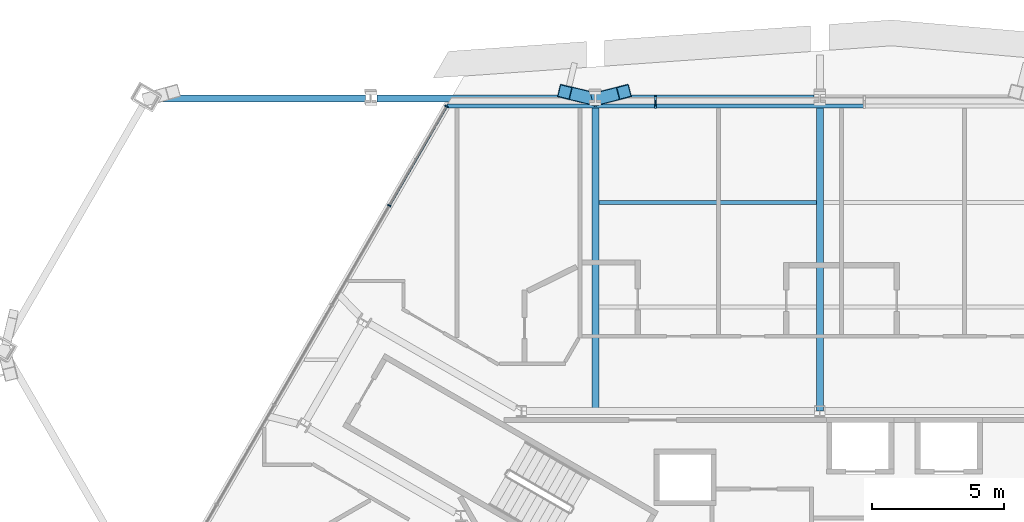
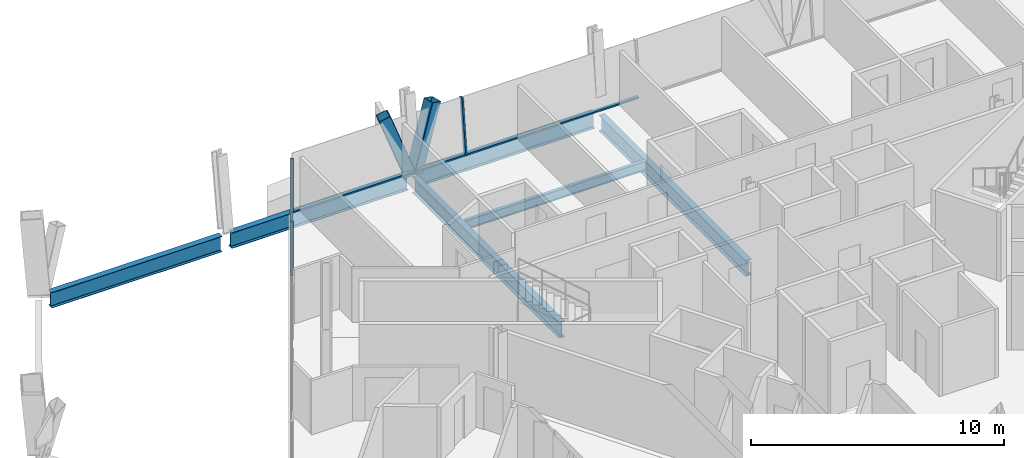
# One storey, part 7 of 17: 8 members, 6 beams, 2 elements without a shape of their own.
"""IFC4 building model written with IfcOpenShell, lengths in metres."""

from ifc_helpers import new_model, si_unit, direction, frame, origin, origin_2d, place, context, subcontext, project, spatial, rectangle, hollow_rectangle, i_section, extrude, material, material_profile, profile_set, type_object, element, aggregate, save


model = new_model("IFC4")

# Units and contexts
model_context = context("Model", 3, precision=1e-05, world=origin(), true_north=direction((0.0, 1.0)))
body_context = subcontext(model_context, "Body", "Model", "MODEL_VIEW")
ifc_project = project(units=[si_unit("LENGTHUNIT", "METRE"), si_unit("AREAUNIT", "SQUARE_METRE"), si_unit("VOLUMEUNIT", "CUBIC_METRE"), si_unit("PLANEANGLEUNIT", "RADIAN"), si_unit("MASSUNIT", "GRAM", prefix="KILO")], contexts=[model_context])

# Site, building, storey
site_placement = place(None, origin())
site = spatial("IfcSite", under=ifc_project, at=site_placement, CompositionType="ELEMENT")
building_placement = place(site_placement, origin())
building = spatial("IfcBuilding", under=site, at=building_placement, Name="Verrane Prism Tower", CompositionType="ELEMENT")
storey_placement = place(building_placement, frame((0.0, 0.0, 62.0)))
storey = spatial("IfcBuildingStorey", under=building, at=storey_placement, Name="L13", CompositionType="ELEMENT", Elevation=62.0)

# Members
ifc_material_1 = material(Name="Steel A1085 Grade A", Category="steel")
ifc_material_profile_1 = material_profile(ifc_material_1, hollow_rectangle(XDim=0.508056640625, YDim=0.508056640625, WallThickness=0.025390625, InnerFilletRadius=0.0126953125, OuterFilletRadius=0.0380859375, at=origin_2d()), Name="HSS20x20x1")
ifc_profile_set_1 = profile_set([ifc_material_profile_1], Name="Steel A1085 Grade A")
member_type_1 = type_object("IfcMemberType", Name="Facade brace HSS20x20x1", PredefinedType="BRACE", material=ifc_profile_set_1)
member_1_placement = place(storey_placement, frame((-8.408203125, 21.070068359375, -0.197509765625), z_axis=(0.310890224277, 0.079595388746, 0.947107091378), x_axis=(-0.248024317943, 0.968753806552, 0.0)))
element("IfcMember", 1, at=member_1_placement, inside=storey, type_object=member_type_1, Name="Facade brace N3 L13", PredefinedType="BRACE", context=body_context, shape_type="SweptSolid", body=[
    extrude(hollow_rectangle(XDim=0.508056640625, YDim=0.508056640625, WallThickness=0.025390625, InnerFilletRadius=0.0126953125, OuterFilletRadius=0.0380859375, at=origin_2d()), origin(), (0.0, 0.0, 1.0), 3.128662109375),
])
member_2_placement = place(storey_placement, frame((-8.639892578125, 21.070068359375, -0.197509765625), z_axis=(-0.330631716737, 0.079035470136, 0.940444608867), x_axis=(-0.232493532047, -0.972597942398, 0.0)))
element("IfcMember", 2, at=member_2_placement, inside=storey, type_object=member_type_1, Name="Facade brace N4 L13", PredefinedType="BRACE", context=body_context, shape_type="SweptSolid", body=[
    extrude(hollow_rectangle(XDim=0.508056640625, YDim=0.508056640625, WallThickness=0.025390625, InnerFilletRadius=0.0126953125, OuterFilletRadius=0.0380859375, at=origin_2d()), origin(), (0.0, 0.0, 1.0), 3.15087890625),
])

# Beam
ifc_material_2 = material(Name="Steel A992", Category="steel")
ifc_material_profile_2 = material_profile(ifc_material_2, i_section(OverallWidth=0.15234375, OverallDepth=0.449462890625, WebThickness=0.007568359375, FlangeThickness=0.0107421875, FilletRadius=0.01025390625, at=origin_2d()), Name="W18x35")
ifc_profile_set_2 = profile_set([ifc_material_profile_2], Name="Steel A992")
beam_type_1 = type_object("IfcBeamType", Name="Floor beam W18x35", PredefinedType="BEAM", material=ifc_profile_set_2)
beam_1_placement = place(storey_placement, frame((-8.386474609375, 17.11328125, -0.384765625), z_axis=(1.0, 0.0, 0.0), x_axis=(0.0, 1.0, 0.0)))
element("IfcBeam", 3, at=beam_1_placement, inside=storey, type_object=beam_type_1, Name="Floor beam L13", PredefinedType="BEAM", context=body_context, shape_type="SweptSolid", body=[
    extrude(i_section(OverallWidth=0.15234375, OverallDepth=0.449462890625, WebThickness=0.007568359375, FlangeThickness=0.0107421875, FilletRadius=0.01025390625, at=origin_2d()), origin(), (0.0, 0.0, 1.0), 8.2529296875),
])

# Curtain wall, members
ifc_material_3 = material(Name="Aluminium framed insulated glazing", Category="aluminium")
curtain_wall_type_1 = type_object("IfcCurtainWallType", Name="Curtain wall CW-C 4200 module", PredefinedType="NOTDEFINED", material=ifc_material_3)
curtain_wall_1_placement = place(storey_placement, origin())
curtain_wall_1 = element("IfcCurtainWall", 4, at=curtain_wall_1_placement, inside=storey, type_object=curtain_wall_type_1, Name="Glazed curtain wall garden cut line L13 1", PredefinedType="NOTDEFINED")
ifc_material_4 = material(Name="Aluminium alloy 6063-T6", Category="aluminium")
ifc_material_profile_3 = material_profile(ifc_material_4, rectangle(XDim=0.139892578125, YDim=0.050048828125, at=origin_2d()), Name="Mullion 50x140 aluminium")
ifc_profile_set_3 = profile_set([ifc_material_profile_3], Name="Aluminium alloy 6063-T6")
member_type_2 = type_object("IfcMemberType", Name="Mullion 50x140 aluminium", PredefinedType="MULLION", material=ifc_profile_set_3)
member_3_placement = place(storey_placement, frame((-14.1748046875, 20.769287109375, 0.0), z_axis=(0.0, 0.0, 1.0), x_axis=(0.86602606015, -0.49999886314, 0.0)))
member_3 = element("IfcMember", 5, at=member_3_placement, type_object=member_type_2, Name="CW12.3.1 mullion 1", PredefinedType="MULLION", context=body_context, shape_type="SweptSolid", body=[
    extrude(rectangle(XDim=0.139892578125, YDim=0.050048828125, at=origin_2d()), origin(), (0.0, 0.0, 1.0), 2.61279296875),
])
member_4_placement = place(storey_placement, frame((-16.34716796875, 17.006591796875, 0.0), z_axis=(0.0, 0.0, 1.0), x_axis=(0.86602606015, -0.49999886314, 0.0)))
member_4 = element("IfcMember", 6, at=member_4_placement, type_object=member_type_2, Name="CW12.3.1 mullion 2", PredefinedType="MULLION", context=body_context, shape_type="SweptSolid", body=[
    extrude(rectangle(XDim=0.139892578125, YDim=0.050048828125, at=origin_2d()), origin(), (0.0, 0.0, 1.0), 2.61279296875),
])

# Curtain wall, member
ifc_material_5 = material(Name="Aluminium framed insulated glazing", Category="aluminium")
curtain_wall_type_2 = type_object("IfcCurtainWallType", Name="Curtain wall CW-A 8400 module", PredefinedType="NOTDEFINED", material=ifc_material_5)
curtain_wall_2_placement = place(storey_placement, origin())
curtain_wall_2 = element("IfcCurtainWall", 7, at=curtain_wall_2_placement, inside=storey, type_object=curtain_wall_type_2, Name="Glazed curtain wall north face L13", PredefinedType="NOTDEFINED")
ifc_material_6 = material(Name="Aluminium alloy 6063-T6", Category="aluminium")
ifc_material_profile_4 = material_profile(ifc_material_6, rectangle(XDim=0.199951171875, YDim=0.070068359375, at=origin_2d()), Name="Mullion 70x200 aluminium")
ifc_profile_set_4 = profile_set([ifc_material_profile_4], Name="Aluminium alloy 6063-T6")
member_type_3 = type_object("IfcMemberType", Name="Mullion 70x200 aluminium", PredefinedType="MULLION", material=ifc_profile_set_4)
member_5_placement = place(storey_placement, frame((-6.23486328125, 20.791015625, 0.0), z_axis=(0.0, 0.114088521093, 0.993470588067), x_axis=(0.0, 0.993470588067, -0.114088521093)))
member_5 = element("IfcMember", 8, at=member_5_placement, type_object=member_type_3, Name="CW12.2 mullion 5", PredefinedType="MULLION", context=body_context, shape_type="SweptSolid", body=[
    extrude(rectangle(XDim=0.199951171875, YDim=0.070068359375, at=origin_2d()), origin(), (0.0, 0.0, 1.0), 2.6298828125),
])

# Beams
ifc_material_7 = material(Name="Steel A992", Category="steel")
ifc_material_profile_5 = material_profile(ifc_material_7, i_section(OverallWidth=0.2666015625, OverallDepth=0.76708984375, WebThickness=0.014892578125, FlangeThickness=0.023681640625, FilletRadius=0.0166015625, at=origin_2d()), Name="W30x124")
ifc_profile_set_5 = profile_set([ifc_material_profile_5], Name="Steel A992")
beam_type_2 = type_object("IfcBeamType", Name="Radial girder W30x124", PredefinedType="BEAM", material=ifc_profile_set_5)
for number, where, z_axis, x_axis, name in (
    (9, (0.0, 20.8046875, -0.603515625), (0.0, -1.0, 0.0), (1.0, 0.0, 0.0), "Radial girder L13"),
    (10, (-8.52001953125, 20.8046875, -0.603515625), (0.0, -1.0, 0.0), (1.0, 0.0, 0.0), "Radial girder L13"),
):
    element("IfcBeam", number, at=place(storey_placement, frame(where, z_axis=z_axis, x_axis=x_axis)), inside=storey, type_object=beam_type_2, Name=name, PredefinedType="BEAM", context=body_context, shape_type="SweptSolid", body=[
        extrude(i_section(OverallWidth=0.2666015625, OverallDepth=0.76708984375, WebThickness=0.014892578125, FlangeThickness=0.023681640625, FilletRadius=0.0166015625, at=origin_2d()), origin(), (0.0, 0.0, 1.0), 11.604736328125),
    ])
ifc_material_8 = material(Name="Steel A992", Category="steel")
ifc_material_profile_6 = material_profile(ifc_material_8, i_section(OverallWidth=0.2666015625, OverallDepth=0.7568359375, WebThickness=0.013916015625, FlangeThickness=0.019287109375, FilletRadius=0.0166015625, at=origin_2d()), Name="W30x108")
ifc_profile_set_6 = profile_set([ifc_material_profile_6], Name="Steel A992")
beam_type_3 = type_object("IfcBeamType", Name="Spandrel beam W30x108", PredefinedType="SPANDREL", material=ifc_profile_set_6)
beam_2_placement = place(storey_placement, frame((-0.220947265625, 21.070068359375, -0.53857421875), z_axis=(-1.0, 0.0, 0.0), x_axis=(0.0, -1.0, 0.0)))
element("IfcBeam", 11, at=beam_2_placement, inside=storey, type_object=beam_type_3, Name="Spandrel beam L13", PredefinedType="SPANDREL", context=body_context, shape_type="SweptSolid", body=[
    extrude(i_section(OverallWidth=0.2666015625, OverallDepth=0.7568359375, WebThickness=0.013916015625, FlangeThickness=0.019287109375, FilletRadius=0.0166015625, at=origin_2d()), origin(), (0.0, 0.0, 1.0), 8.078125),
])
beam_3_placement = place(storey_placement, frame((-8.740966796875, 21.070068359375, -0.53857421875), z_axis=(-1.0, 0.0, 0.0), x_axis=(0.0, -1.0, 0.0)))
element("IfcBeam", 12, at=beam_3_placement, inside=storey, type_object=beam_type_3, Name="Spandrel beam L13", PredefinedType="SPANDREL", context=body_context, shape_type="SweptSolid", body=[
    extrude(i_section(OverallWidth=0.2666015625, OverallDepth=0.7568359375, WebThickness=0.013916015625, FlangeThickness=0.019287109375, FilletRadius=0.0166015625, at=origin_2d()), origin(), (0.0, 0.0, 1.0), 8.068115234375),
])
beam_4_placement = place(storey_placement, frame((-17.2509765625, 21.070068359375, -0.53857421875), z_axis=(-1.0, 0.0, 0.0), x_axis=(0.0, -1.0, 0.0)))
element("IfcBeam", 13, at=beam_4_placement, inside=storey, type_object=beam_type_3, Name="Spandrel beam L13", PredefinedType="SPANDREL", context=body_context, shape_type="SweptSolid", body=[
    extrude(i_section(OverallWidth=0.2666015625, OverallDepth=0.7568359375, WebThickness=0.013916015625, FlangeThickness=0.019287109375, FilletRadius=0.0166015625, at=origin_2d()), origin(), (0.0, 0.0, 1.0), 7.779541015625),
])

# Member
ifc_material_9 = material(Name="Aluminium alloy 6063-T6", Category="aluminium")
ifc_material_profile_7 = material_profile(ifc_material_9, rectangle(XDim=0.10009765625, YDim=0.050048828125, at=origin_2d()), Name="Transom 50x100 aluminium")
ifc_profile_set_7 = profile_set([ifc_material_profile_7], Name="Aluminium alloy 6063-T6")
member_type_4 = type_object("IfcMemberType", Name="Transom 50x100 aluminium", PredefinedType="USERDEFINED", material=ifc_profile_set_7)
member_6_placement = place(storey_placement, frame((-14.1875, 20.747802734375, 0.02490234375), z_axis=(-0.499960291808, -0.866048328106, 0.0), x_axis=(0.866048328106, -0.499960291808, 0.0)))
member_6 = element("IfcMember", 14, at=member_6_placement, type_object=member_type_4, Name="CW12.3.1 transom 1", ObjectType="TRANSOM", PredefinedType="USERDEFINED", context=body_context, shape_type="SweptSolid", body=[
    extrude(rectangle(XDim=0.10009765625, YDim=0.050048828125, at=origin_2d()), origin(), (0.0, 0.0, 1.0), 4.294677734375),
])

aggregate(curtain_wall_1, [member_3, member_4, member_6])

ifc_material_10 = material(Name="Aluminium alloy 6063-T6", Category="aluminium")
ifc_material_profile_8 = material_profile(ifc_material_10, rectangle(XDim=0.14990234375, YDim=0.070068359375, at=origin_2d()), Name="Transom 70x150 aluminium")
ifc_profile_set_8 = profile_set([ifc_material_profile_8], Name="Aluminium alloy 6063-T6")
member_type_5 = type_object("IfcMemberType", Name="Transom 70x150 aluminium", PredefinedType="USERDEFINED", material=ifc_profile_set_8)
member_7_placement = place(storey_placement, frame((1.65771484375, 20.791015625, 0.034912109375), z_axis=(-1.0, 0.0, 0.0), x_axis=(0.0, -1.0, 0.0)))
member_7 = element("IfcMember", 15, at=member_7_placement, type_object=member_type_5, Name="CW12.2 transom 4", ObjectType="TRANSOM", PredefinedType="USERDEFINED", context=body_context, shape_type="SweptSolid", body=[
    extrude(rectangle(XDim=0.14990234375, YDim=0.070068359375, at=origin_2d()), origin(), (0.0, 0.0, 1.0), 7.857666015625),
])

member_8_placement = place(storey_placement, frame((-6.269775390625, 20.791015625, 0.034912109375), z_axis=(-1.0, 0.0, 0.0), x_axis=(0.0, -1.0, 0.0)))
member_8 = element("IfcMember", 16, at=member_8_placement, type_object=member_type_5, Name="CW12.2 transom 5", ObjectType="TRANSOM", PredefinedType="USERDEFINED", context=body_context, shape_type="SweptSolid", body=[
    extrude(rectangle(XDim=0.14990234375, YDim=0.070068359375, at=origin_2d()), origin(), (0.0, 0.0, 1.0), 7.892578125),
])

aggregate(curtain_wall_2, [member_5, member_7, member_8])

save(model, "model.ifc")
